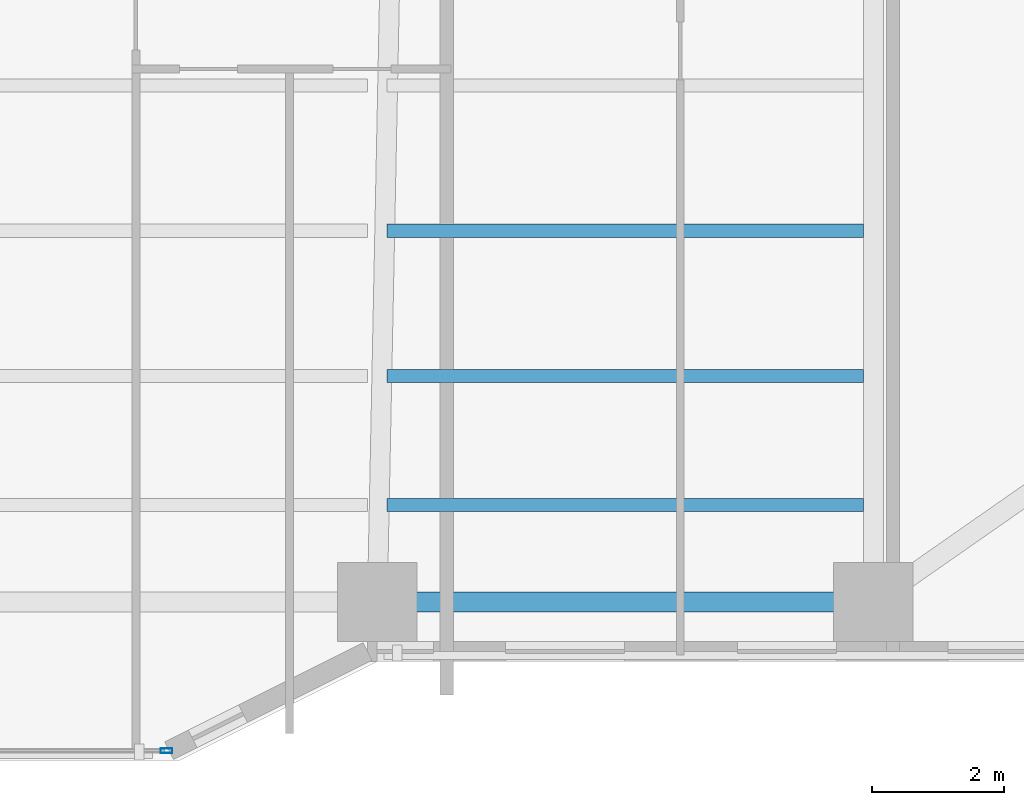
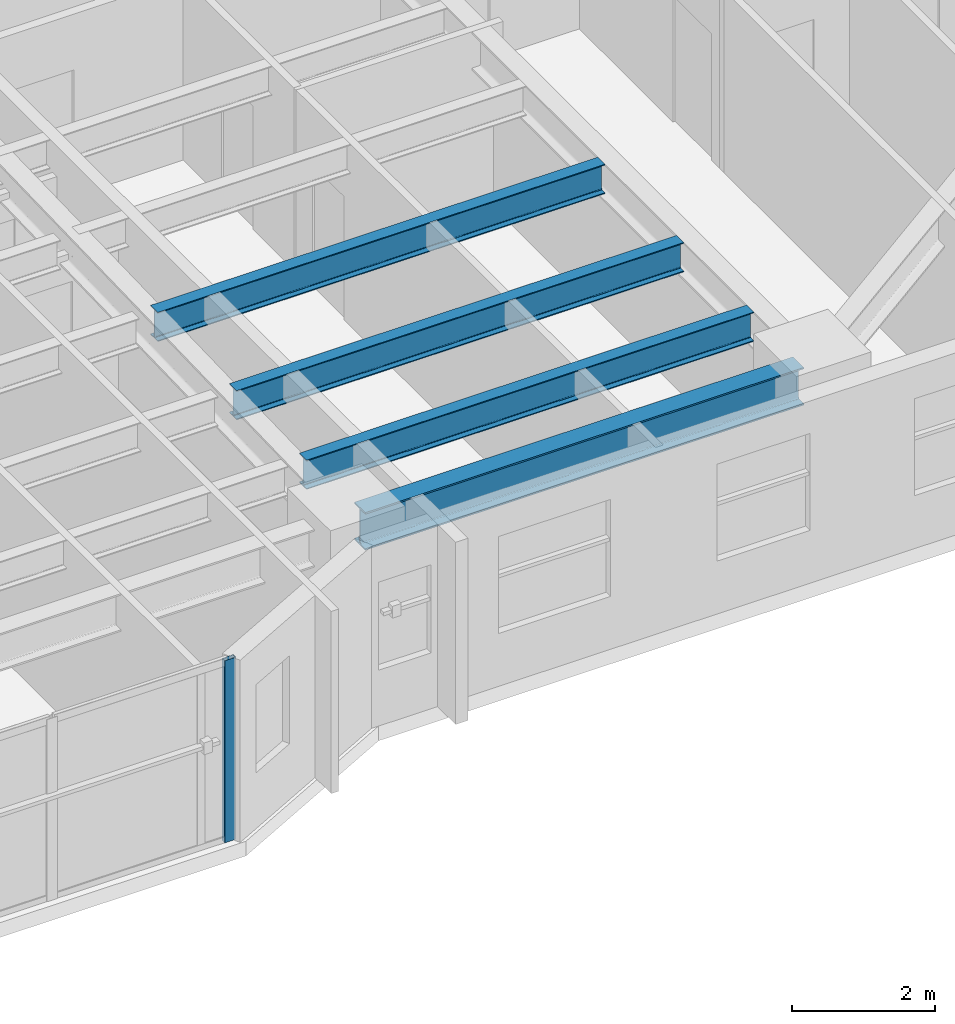
# One storey, part 4 of 21: 4 beams, 1 member, 1 element without a shape of its own.
"""IFC4 building model written with IfcOpenShell, lengths in metres."""

import ifcopenshell
import ifcopenshell.guid

model = None  # the IFC model being written
_history = None  # IfcOwnerHistory: only IFC2X3 demands one
_inside = {}  # id of a spatial element -> (the spatial element, [elements in it])
_under = {}  # id of a project, library or spatial element -> (it, [spatial elements below it])
_declared = {}  # id of a project -> (the project, [libraries it declares])
_typed = {}  # id of a type object -> (the type object, [elements of that type])
_made_of = {}  # id of a material, layer set ... -> (it, [elements and type objects made of it])


def new_model(schema):
    """Start an empty IFC model of exactly this schema.

    Asked for "IFC4X3", IfcOpenShell would pick the latest addendum, in which some entities
    have other attributes; the version numbers below select the first issue.
    IFC2X3 requires an IfcOwnerHistory on every rooted entity: one is made here for all.
    """
    global model, _history
    if schema == "IFC4X3":
        model = ifcopenshell.file(schema_version=(4, 3, 0, 0))
    else:
        model = ifcopenshell.file(schema=schema)
    _inside.clear()
    _under.clear()
    _declared.clear()
    _typed.clear()
    _made_of.clear()
    _history = None
    if model.schema == "IFC2X3":
        org = make("IfcOrganization", Name="unknown")
        user = make(
            "IfcPersonAndOrganization",
            ThePerson=make("IfcPerson", FamilyName="unknown"),
            TheOrganization=org,
        )
        app = make(
            "IfcApplication",
            ApplicationDeveloper=org,
            Version="unknown",
            ApplicationFullName="unknown",
            ApplicationIdentifier="unknown",
        )
        _history = make(
            "IfcOwnerHistory",
            OwningUser=user,
            OwningApplication=app,
            ChangeAction="ADDED",
            CreationDate=0,
        )
    return model


def make(cls, **values):
    """One entity of the class cls with the attributes given. An attribute that is None is left unset."""
    return model.create_entity(
        cls, **{name: value for name, value in values.items() if value is not None}
    )


def rooted(cls, **values):
    """An entity with a GlobalId (a new one), such as an element, a storey or a relation."""
    return make(cls, GlobalId=ifcopenshell.guid.new(), OwnerHistory=_history, **values)


def si_unit(unit_type, name, prefix=None):
    """IfcSIUnit, for example si_unit("LENGTHUNIT", "METRE", prefix="MILLI")."""
    return make("IfcSIUnit", UnitType=unit_type, Prefix=prefix, Name=name)


def assignment(units):
    """IfcUnitAssignment: the units of a project."""
    return None if units is None else make("IfcUnitAssignment", Units=units)


def point(xyz):
    """IfcCartesianPoint."""
    return None if xyz is None else make("IfcCartesianPoint", Coordinates=xyz)


def direction(xyz):
    """IfcDirection."""
    return None if xyz is None else make("IfcDirection", DirectionRatios=xyz)


def frame(location, z_axis=None, x_axis=None):
    """IfcAxis2Placement3D, a coordinate frame: its origin and axes. An axis left out is left unset."""
    return make(
        "IfcAxis2Placement3D",
        Location=point(location),
        Axis=direction(z_axis),
        RefDirection=direction(x_axis),
    )


def frame_2d(location, x_axis=None):
    """IfcAxis2Placement2D, a coordinate frame in the plane: its origin and x axis."""
    return make(
        "IfcAxis2Placement2D", Location=point(location), RefDirection=direction(x_axis)
    )


def origin():
    """The frame at (0, 0, 0) with its axes left unset."""
    return frame((0.0, 0.0, 0.0))


def origin_2d():
    """The frame at (0, 0) in the plane with its x axis left unset."""
    return frame_2d((0.0, 0.0))


def place(relative_to, where):
    """IfcLocalPlacement: puts the frame where relative to a parent placement (None: the world)."""
    return make(
        "IfcLocalPlacement", PlacementRelTo=relative_to, RelativePlacement=where
    )


def context(
    kind, dimensions, precision=None, world=None, true_north=None, identifier=None
):
    """IfcGeometricRepresentationContext, for example the 3D "Model" context."""
    return make(
        "IfcGeometricRepresentationContext",
        ContextIdentifier=identifier,
        ContextType=kind,
        CoordinateSpaceDimension=dimensions,
        Precision=precision,
        WorldCoordinateSystem=world,
        TrueNorth=true_north,
    )


def subcontext(parent, identifier, kind, view, scale=None):
    """IfcGeometricRepresentationSubContext, for example "Body" below "Model"."""
    return make(
        "IfcGeometricRepresentationSubContext",
        ContextIdentifier=identifier,
        ContextType=kind,
        ParentContext=parent,
        TargetScale=scale,
        TargetView=view,
    )


def project(units=None, contexts=None):
    """IfcProject with its units and contexts."""
    return rooted(
        "IfcProject",
        Name="project",
        RepresentationContexts=contexts,
        UnitsInContext=assignment(units),
    )


def spatial(cls, under=None, at=None, **own):
    """A site, building, storey or space (cls), placed at a placement, below another one or the project."""
    s = rooted(cls, ObjectPlacement=at, **own)
    if under is not None:
        _under.setdefault(under.id(), (under, []))[1].append(s)
    return s


def profile(cls, at=None, kind="AREA", **sizes):
    """A parametric profile (cls). Its sizes go by their IFC names, for example OverallWidth=200.0."""
    return make(cls, ProfileType=kind, Position=at, **sizes)


def hollow_rectangle(**sizes):
    """IfcRectangleHollowProfileDef."""
    return profile("IfcRectangleHollowProfileDef", **sizes)


def i_section(**sizes):
    """IfcIShapeProfileDef."""
    return profile("IfcIShapeProfileDef", **sizes)


def extrude(swept, where, along, depth):
    """IfcExtrudedAreaSolid: the profile swept, set in the frame where, extruded along a direction by depth."""
    return make(
        "IfcExtrudedAreaSolid",
        SweptArea=swept,
        Position=where,
        ExtrudedDirection=direction(along),
        Depth=depth,
    )


def shape(context_of_items, identifier, shape_type, items):
    """IfcShapeRepresentation: the items that make up one representation, for example the "Body"."""
    return make(
        "IfcShapeRepresentation",
        ContextOfItems=context_of_items,
        RepresentationIdentifier=identifier,
        RepresentationType=shape_type,
        Items=items,
    )


def material(Name=None, Category=None):
    """IfcMaterial."""
    return make("IfcMaterial", Name=Name, Category=Category)


def layer(
    of_material, thickness, ventilated=None, Name=None, Category=None, Priority=None
):
    """IfcMaterialLayer: one layer of a wall or slab, of a material (None: an air gap)."""
    return make(
        "IfcMaterialLayer",
        Material=of_material,
        LayerThickness=thickness,
        IsVentilated=ventilated,
        Name=Name,
        Category=Category,
        Priority=Priority,
    )


def layer_set(layers, Name=None):
    """IfcMaterialLayerSet."""
    return make("IfcMaterialLayerSet", MaterialLayers=layers, LayerSetName=Name)


def material_profile(
    of_material, cross_section, Name=None, Category=None, Priority=None
):
    """IfcMaterialProfile: a cross section and its material."""
    return make(
        "IfcMaterialProfile",
        Name=Name,
        Material=of_material,
        Profile=cross_section,
        Priority=Priority,
        Category=Category,
    )


def profile_set(profiles, Name=None, composite=None):
    """IfcMaterialProfileSet."""
    return make(
        "IfcMaterialProfileSet",
        Name=Name,
        MaterialProfiles=profiles,
        CompositeProfile=composite,
    )


def made_of(thing, what):
    """Note that an element or type object is made of a material, layer set ...; save() writes the relation."""
    if what is not None:
        _made_of.setdefault(what.id(), (what, []))[1].append(thing)
    return thing


def type_object(cls, material=None, **own):
    """A type object (cls), such as IfcWallType, which elements share."""
    return made_of(rooted(cls, **own), material)


def element(
    cls,
    number,
    at=None,
    inside=None,
    cuts=None,
    type_object=None,
    material=None,
    context=None,
    identifier="Body",
    shape_type=None,
    held_by="IfcProductDefinitionShape",
    body=None,
    shapes=None,
    **own,
):
    """One element of the class cls, such as IfcWall. Its Tag is "e" and its number.

    at: its placement. inside: the storey or other place that contains it. cuts: it is an
    opening in that element (IfcRelVoidsElement). A single representation is given by context,
    identifier, shape_type and body (its items); several are given by shapes. held_by: the class
    of the entity that holds the representations. save() writes the other relations.
    """
    e = rooted(cls, Tag="e%d" % number, ObjectPlacement=at, **own)
    if body is not None:
        shapes = [shape(context, identifier, shape_type, body)]
    if shapes is not None:
        e.Representation = make(held_by, Representations=shapes)
    if inside is not None:
        _inside.setdefault(inside.id(), (inside, []))[1].append(e)
    if cuts is not None:
        rooted(
            "IfcRelVoidsElement", RelatingBuildingElement=cuts, RelatedOpeningElement=e
        )
    if type_object is not None:
        _typed.setdefault(type_object.id(), (type_object, []))[1].append(e)
    return made_of(e, material)


def aggregate(whole, parts):
    """IfcRelAggregates: a whole, such as a stair, and the parts it consists of."""
    return rooted("IfcRelAggregates", RelatingObject=whole, RelatedObjects=parts)


def save(model, path):
    """Write the relations noted so far, then the file.

    IfcRelAggregates (storeys below a building ...), IfcRelContainedInSpatialStructure (elements
    in a storey), IfcRelDefinesByType, IfcRelAssociatesMaterial and IfcRelDeclares: one each for
    every whole, place, type object, material and project.
    """
    for whole, parts in _under.values():
        aggregate(whole, parts)
    for where, things in _inside.values():
        rooted(
            "IfcRelContainedInSpatialStructure",
            RelatedElements=things,
            RelatingStructure=where,
        )
    for kind, things in _typed.values():
        rooted("IfcRelDefinesByType", RelatedObjects=things, RelatingType=kind)
    for what, things in _made_of.values():
        rooted("IfcRelAssociatesMaterial", RelatedObjects=things, RelatingMaterial=what)
    for by, libraries in _declared.values():
        rooted("IfcRelDeclares", RelatingContext=by, RelatedDefinitions=libraries)
    model.write(path)


model = new_model("IFC4")

# Units and contexts
model_context = context("Model", 3, precision=1e-05, world=origin(), true_north=direction((0.0, 1.0)))
body_context = subcontext(model_context, "Body", "Model", "MODEL_VIEW")
ifc_project = project(units=[si_unit("LENGTHUNIT", "METRE"), si_unit("AREAUNIT", "SQUARE_METRE"), si_unit("VOLUMEUNIT", "CUBIC_METRE"), si_unit("PLANEANGLEUNIT", "RADIAN"), si_unit("MASSUNIT", "GRAM", prefix="KILO")], contexts=[model_context])

# Site, building, storey
site_placement = place(None, origin())
site = spatial("IfcSite", under=ifc_project, at=site_placement, CompositionType="ELEMENT")
building_placement = place(site_placement, origin())
building = spatial("IfcBuilding", under=site, at=building_placement, Name="Tarnavaz Court Tower", CompositionType="ELEMENT")
storey_placement = place(building_placement, frame((0.0, 0.0, 44.10009765625)))
storey = spatial("IfcBuildingStorey", under=building, at=storey_placement, Name="L11", CompositionType="ELEMENT", Elevation=44.10009765625)

# Beams
ifc_material_1 = material(Name="Steel S355", Category="steel")
ifc_material_profile_1 = material_profile(ifc_material_1, i_section(OverallWidth=0.199951171875, OverallDepth=0.5, WebThickness=0.01025390625, FlangeThickness=0.01611328125, FilletRadius=0.02099609375, at=origin_2d()), Name="IPE 500")
ifc_profile_set_1 = profile_set([ifc_material_profile_1], Name="Steel S355")
beam_type_1 = type_object("IfcBeamType", Name="BM-J-IPE500", PredefinedType="JOIST", material=ifc_profile_set_1)
for number, where, z_axis, x_axis, name in (
    (1, (7.64990234375, -17.18798828125, 2.849853515625), (1.0, 0.0, 0.0), (0.0, 1.0, 0.0), "L11 Beam JS3-3"),
    (2, (7.64990234375, -19.384033203125, 2.849853515625), (1.0, 0.0, 0.0), (0.0, 1.0, 0.0), "L11 Beam JS4-3"),
    (3, (7.64990234375, -21.3359375, 2.849853515625), (1.0, 0.0, 0.0), (0.0, 1.0, 0.0), "L11 Beam JS5-3"),
):
    element("IfcBeam", number, at=place(storey_placement, frame(where, z_axis=z_axis, x_axis=x_axis)), inside=storey, type_object=beam_type_1, Name=name, PredefinedType="JOIST", context=body_context, shape_type="SweptSolid", body=[
        extrude(i_section(OverallWidth=0.199951171875, OverallDepth=0.5, WebThickness=0.01025390625, FlangeThickness=0.01611328125, FilletRadius=0.02099609375, at=origin_2d()), origin(), (0.0, 0.0, 1.0), 7.2001953125),
    ])
ifc_material_profile_2 = material_profile(ifc_material_1, i_section(OverallWidth=0.300048828125, OverallDepth=0.639892578125, WebThickness=0.013427734375, FlangeThickness=0.02587890625, FilletRadius=0.027099609375, at=origin_2d()), Name="HEA 650")
ifc_profile_set_2 = profile_set([ifc_material_profile_2], Name="Steel S355")
beam_type_2 = type_object("IfcBeamType", Name="BM-SP-HEA650", PredefinedType="SPANDREL", material=ifc_profile_set_2)
beam_placement = place(storey_placement, frame((7.719970703125, -22.800048828125, 2.77978515625), z_axis=(1.0, 0.0, 0.0), x_axis=(0.0, 1.0, 0.0)))
element("IfcBeam", 4, at=beam_placement, inside=storey, type_object=beam_type_2, Name="L11 Beam PR-PS-3-PS-4", PredefinedType="SPANDREL", context=body_context, shape_type="SweptSolid", body=[
    extrude(i_section(OverallWidth=0.300048828125, OverallDepth=0.639892578125, WebThickness=0.013427734375, FlangeThickness=0.02587890625, FilletRadius=0.027099609375, at=origin_2d()), origin(), (0.0, 0.0, 1.0), 7.06005859375),
])

# Curtain wall, member
ifc_material_2 = material(Name="Anodised Aluminium 6063-T6 and Solar Low-E Glazing", Category="aluminium")
ifc_layer = layer(ifc_material_2, 0.179931640625)
ifc_layer_set = layer_set([ifc_layer], Name="Anodised Aluminium 6063-T6 and Solar Low-E Glazing")
curtain_wall_type = type_object("IfcCurtainWallType", Name="CW-SYS-02", PredefinedType="NOTDEFINED", material=ifc_layer_set)
curtain_wall_placement = place(storey_placement, origin())
curtain_wall = element("IfcCurtainWall", 5, at=curtain_wall_placement, inside=storey, type_object=curtain_wall_type, Name="L11 Iwan Prow Curtain Wall 17", PredefinedType="NOTDEFINED")
ifc_material_3 = material(Name="Anodised Aluminium 6063-T6", Category="aluminium")
ifc_material_profile_3 = material_profile(ifc_material_3, hollow_rectangle(XDim=0.074951171875, YDim=0.179931640625, WallThickness=0.0048828125, InnerFilletRadius=0.0048828125, OuterFilletRadius=0.010009765625, at=origin_2d()), Name="ALU RHS 180X75X5")
ifc_profile_set_3 = profile_set([ifc_material_profile_3], Name="Anodised Aluminium 6063-T6")
member_type = type_object("IfcMemberType", Name="CW-MUL-180", PredefinedType="MULLION", material=ifc_profile_set_3)
member_placement = place(storey_placement, frame((4.3125, -25.050048828125, 0.0), z_axis=(0.0, 0.0, 1.0), x_axis=(0.0, -1.0, 0.0)))
member = element("IfcMember", 6, at=member_placement, type_object=member_type, Name="CW mullion 1", PredefinedType="MULLION", context=body_context, shape_type="SweptSolid", body=[
    extrude(hollow_rectangle(XDim=0.074951171875, YDim=0.179931640625, WallThickness=0.0048828125, InnerFilletRadius=0.0048828125, OuterFilletRadius=0.010009765625, at=origin_2d()), origin(), (0.0, 0.0, 1.0), 3.099853515625),
])
aggregate(curtain_wall, [member])

save(model, "model.ifc")
